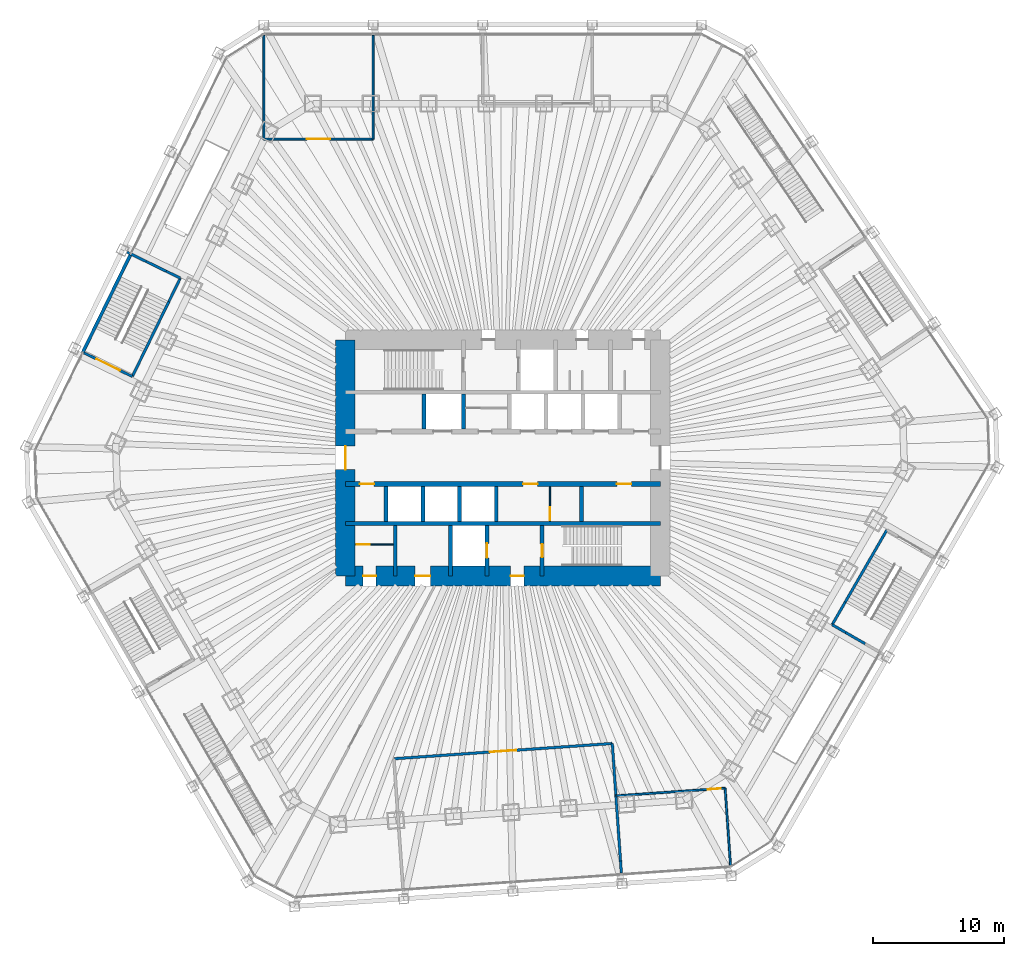
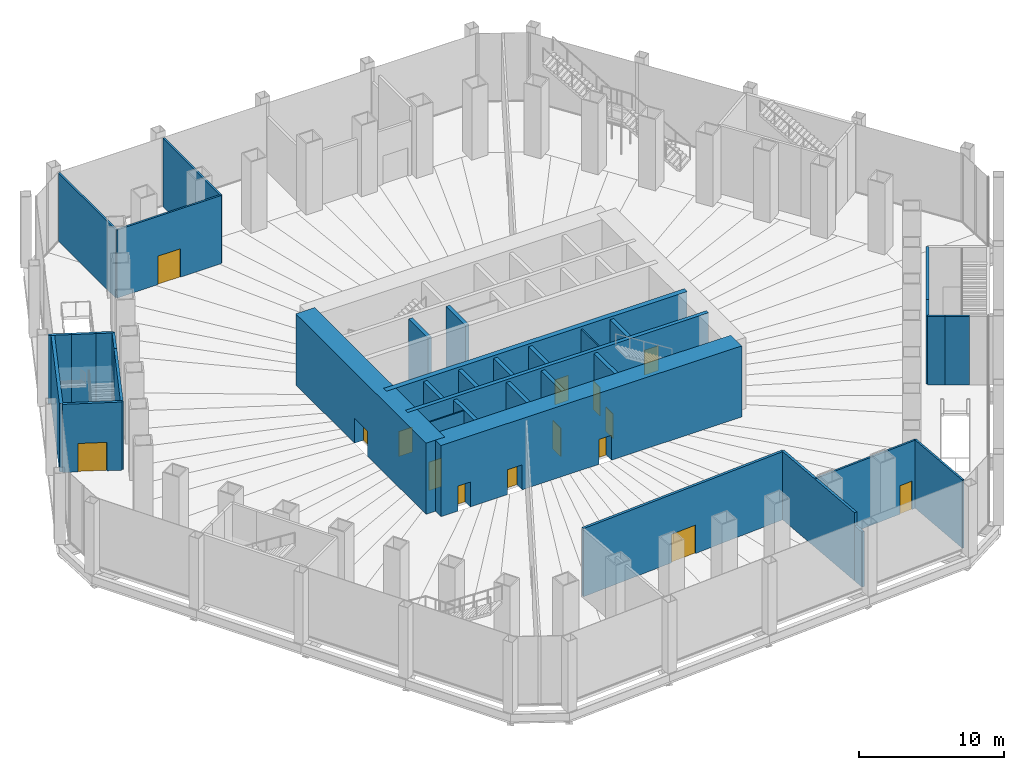
# One storey, part 19 of 23: 36 walls, 15 doors, 15 openings.
"""IFC4 building model written with IfcOpenShell, lengths in metres."""

from ifc_helpers import new_model, si_unit, direction, frame, frame_2d, origin, place, context, subcontext, project, spatial, rectangle, extrude, material, layer, layer_set, type_object, element, fill, save


model = new_model("IFC4")

# Units and contexts
model_context = context("Model", 3, precision=1e-05, world=origin(), true_north=direction((0.0, 1.0)))
body_context = subcontext(model_context, "Body", "Model", "MODEL_VIEW")
ifc_project = project(units=[si_unit("LENGTHUNIT", "METRE"), si_unit("AREAUNIT", "SQUARE_METRE"), si_unit("VOLUMEUNIT", "CUBIC_METRE"), si_unit("PLANEANGLEUNIT", "RADIAN"), si_unit("MASSUNIT", "GRAM", prefix="KILO")], contexts=[model_context])

# Site, building, storey
site_placement = place(None, origin())
site = spatial("IfcSite", under=ifc_project, at=site_placement, CompositionType="ELEMENT")
building_placement = place(site_placement, origin())
building = spatial("IfcBuilding", under=site, at=building_placement, Name="Qingtian Harvest Tower", CompositionType="ELEMENT")
storey_placement = place(building_placement, frame((0.0, 0.0, 6.0)))
storey = spatial("IfcBuildingStorey", under=building, at=storey_placement, Name="L01", CompositionType="ELEMENT", Elevation=6.0)

# Wall
ifc_material_1 = material(Name="Concrete fc' 70 MPa", Category="concrete")
ifc_layer_1 = layer(ifc_material_1, 0.300048828125)
ifc_layer_set_1 = layer_set([ifc_layer_1], Name="Core inner wall RC5 300")
wall_type_1 = type_object("IfcWallType", Name="Core inner wall RC5 300", PredefinedType="SHEAR", material=ifc_layer_set_1)
wall_1_placement = place(storey_placement, frame((-12.0, -5.0, 0.0), z_axis=(0.0, 0.0, 1.0), x_axis=(1.0, 0.0, 0.0)))
element("IfcWall", 1, at=wall_1_placement, inside=storey, type_object=wall_type_1, Name="Core wall IS5 L01", PredefinedType="SHEAR", context=body_context, shape_type="SweptSolid", body=[
    extrude(rectangle(XDim=24.0, YDim=0.300048828125, at=frame_2d((12.0, 0.0))), origin(), (0.0, 0.0, 1.0), 6.0),
])

# Wall, openings, doors
ifc_material_2 = material(Name="Concrete fc' 70 MPa", Category="concrete")
ifc_layer_2 = layer(ifc_material_2, 0.39990234375)
ifc_layer_set_2 = layer_set([ifc_layer_2], Name="Core inner web RC6 400")
wall_type_2 = type_object("IfcWallType", Name="Core inner web RC6 400", PredefinedType="SHEAR", material=ifc_layer_set_2)
wall_2_placement = place(storey_placement, frame((-12.0, -2.0, 0.0), z_axis=(0.0, 0.0, 1.0), x_axis=(1.0, 0.0, 0.0)))
wall_2 = element("IfcWall", 2, at=wall_2_placement, inside=storey, type_object=wall_type_2, Name="Core wall IS2 L01", PredefinedType="SHEAR", context=body_context, shape_type="SweptSolid", body=[
    extrude(rectangle(XDim=24.0, YDim=0.39990234375, at=frame_2d((12.0, 0.0))), origin(), (0.0, 0.0, 1.0), 6.0),
])
opening_1_placement = place(wall_2_placement, frame((1.10009765625, 0.0, 0.0)))
opening_1 = element("IfcOpeningElement", 3, at=opening_1_placement, cuts=wall_2, Name="Opening FD4", PredefinedType="OPENING", context=body_context, shape_type="SweptSolid", body=[
    extrude(rectangle(XDim=1.10009765625, YDim=2.10009765625, at=frame_2d((0.550048828125, 1.050048828125))), frame((0.0, 0.2099609375, 0.0), z_axis=(0.0, -1.0, 0.0), x_axis=(1.0, 0.0, 0.0)), (0.0, 0.0, 1.0), 0.419921875),
])
opening_2_placement = place(wall_2_placement, frame((13.550048828125, 0.0, 0.0)))
opening_2 = element("IfcOpeningElement", 4, at=opening_2_placement, cuts=wall_2, Name="Opening FD4", PredefinedType="OPENING", context=body_context, shape_type="SweptSolid", body=[
    extrude(rectangle(XDim=1.10009765625, YDim=2.10009765625, at=frame_2d((0.550048828125, 1.050048828125))), frame((0.0, 0.2099609375, 0.0), z_axis=(0.0, -1.0, 0.0), x_axis=(1.0, 0.0, 0.0)), (0.0, 0.0, 1.0), 0.419921875),
])
opening_3_placement = place(wall_2_placement, frame((20.699951171875, 0.0, 0.0)))
opening_3 = element("IfcOpeningElement", 5, at=opening_3_placement, cuts=wall_2, Name="Opening FD4", PredefinedType="OPENING", context=body_context, shape_type="SweptSolid", body=[
    extrude(rectangle(XDim=1.10009765625, YDim=2.10009765625, at=frame_2d((0.550048828125, 1.050048828125))), frame((0.0, 0.2099609375, 0.0), z_axis=(0.0, -1.0, 0.0), x_axis=(1.0, 0.0, 0.0)), (0.0, 0.0, 1.0), 0.419921875),
])
ifc_material_3 = material(Name="Steel-faced door leaf", Category="steel")
door_type_1 = type_object("IfcDoorType", Name="Fire door FD4 single 2 HR", OperationType="SINGLE_SWING_LEFT", PredefinedType="DOOR", material=ifc_material_3)
door_1_placement = place(opening_1_placement, origin())
door_1 = element("IfcDoor", 6, at=door_1_placement, inside=storey, type_object=door_type_1, Name="RB door L01", OperationType="SINGLE_SWING_RIGHT", OverallHeight=2.10009765625, OverallWidth=1.10009765625, PredefinedType="DOOR", context=body_context, shape_type="SweptSolid", body=[
    extrude(rectangle(XDim=1.10009765625, YDim=2.10009765625, at=frame_2d((0.550048828125, 1.050048828125))), frame((0.0, 0.02490234375, 0.0), z_axis=(0.0, -1.0, 0.0), x_axis=(1.0, 0.0, 0.0)), (0.0, 0.0, 1.0), 0.050048828125),
])
fill(opening_1, door_1)
door_2_placement = place(opening_2_placement, origin())
door_2 = element("IfcDoor", 7, at=door_2_placement, inside=storey, type_object=door_type_1, Name="ELEC door L01", OperationType="SINGLE_SWING_LEFT", OverallHeight=2.10009765625, OverallWidth=1.10009765625, PredefinedType="DOOR", context=body_context, shape_type="SweptSolid", body=[
    extrude(rectangle(XDim=1.10009765625, YDim=2.10009765625, at=frame_2d((0.550048828125, 1.050048828125))), frame((0.0, 0.02490234375, 0.0), z_axis=(0.0, -1.0, 0.0), x_axis=(1.0, 0.0, 0.0)), (0.0, 0.0, 1.0), 0.050048828125),
])
fill(opening_2, door_2)
door_3_placement = place(opening_3_placement, origin())
door_3 = element("IfcDoor", 8, at=door_3_placement, inside=storey, type_object=door_type_1, Name="DUCT door L01", OperationType="SINGLE_SWING_LEFT", OverallHeight=2.10009765625, OverallWidth=1.10009765625, PredefinedType="DOOR", context=body_context, shape_type="SweptSolid", body=[
    extrude(rectangle(XDim=1.10009765625, YDim=2.10009765625, at=frame_2d((0.550048828125, 1.050048828125))), frame((0.0, 0.02490234375, 0.0), z_axis=(0.0, -1.0, 0.0), x_axis=(1.0, 0.0, 0.0)), (0.0, 0.0, 1.0), 0.050048828125),
])
fill(opening_3, door_3)

# Walls
ifc_material_4 = material(Name="Precast concrete shaft panel", Category="concrete")
ifc_layer_3 = layer(ifc_material_4, 0.300048828125)
ifc_layer_set_3 = layer_set([ifc_layer_3], Name="Core shaft partition SW1 300")
wall_type_3 = type_object("IfcWallType", Name="Core shaft partition SW1 300", PredefinedType="PARTITIONING", material=ifc_layer_set_3)
for number, where, z_axis, x_axis, name in (
    (9, (-6.0, 2.199951171875, 0.0), (0.0, 0.0, 1.0), (0.0, 1.0, 0.0), "Core shaft partition XA1 L01"),
    (10, (-3.0, 2.199951171875, 0.0), (0.0, 0.0, 1.0), (0.0, 1.0, 0.0), "Core shaft partition XA2 L01"),
    (11, (-8.89990234375, -4.85009765625, 0.0), (0.0, 0.0, 1.0), (0.0, 1.0, 0.0), "Core shaft partition XB1 L01"),
    (12, (-6.10009765625, -4.85009765625, 0.0), (0.0, 0.0, 1.0), (0.0, 1.0, 0.0), "Core shaft partition XB2 L01"),
    (13, (-3.300048828125, -4.85009765625, 0.0), (0.0, 0.0, 1.0), (0.0, 1.0, 0.0), "Core shaft partition XB3 L01"),
    (14, (-0.5, -4.85009765625, 0.0), (0.0, 0.0, 1.0), (0.0, 1.0, 0.0), "Core shaft partition XB4 L01"),
    (15, (6.0, -4.85009765625, 0.0), (0.0, 0.0, 1.0), (0.0, 1.0, 0.0), "Core shaft partition XB5 L01"),
):
    element("IfcWall", number, at=place(storey_placement, frame(where, z_axis=z_axis, x_axis=x_axis)), inside=storey, type_object=wall_type_3, Name=name, PredefinedType="PARTITIONING", context=body_context, shape_type="SweptSolid", body=[
        extrude(rectangle(XDim=2.650146484375, YDim=0.300048828125, at=frame_2d((1.3251953125, 0.0))), origin(), (0.0, 0.0, 1.0), 5.780029296875),
    ])
for number, where, z_axis, x_axis, name in (
    (16, (-8.199951171875, -9.0, 0.0), (0.0, 0.0, 1.0), (0.0, 1.0, 0.0), "Core shaft partition XS1 L01"),
    (17, (-4.0, -9.0, 0.0), (0.0, 0.0, 1.0), (0.0, 1.0, 0.0), "Core shaft partition XS2 L01"),
):
    element("IfcWall", number, at=place(storey_placement, frame(where, z_axis=z_axis, x_axis=x_axis)), inside=storey, type_object=wall_type_3, Name=name, PredefinedType="PARTITIONING", context=body_context, shape_type="SweptSolid", body=[
        extrude(rectangle(XDim=3.85009765625, YDim=0.300048828125, at=frame_2d((1.925048828125, 0.0))), origin(), (0.0, 0.0, 1.0), 5.780029296875),
    ])

# Wall, opening, door
wall_3_placement = place(storey_placement, frame((-1.199951171875, -9.0, 0.0), z_axis=(0.0, 0.0, 1.0), x_axis=(0.0, 1.0, 0.0)))
wall_3 = element("IfcWall", 18, at=wall_3_placement, inside=storey, type_object=wall_type_3, Name="Core shaft partition XS3 L01", PredefinedType="PARTITIONING", context=body_context, shape_type="SweptSolid", body=[
    extrude(rectangle(XDim=3.85009765625, YDim=0.300048828125, at=frame_2d((1.925048828125, 0.0))), origin(), (0.0, 0.0, 1.0), 5.780029296875),
])
opening_4_placement = place(wall_3_placement, frame((1.375, 0.0, 0.0)))
opening_4 = element("IfcOpeningElement", 19, at=opening_4_placement, cuts=wall_3, Name="Opening LD1", PredefinedType="OPENING", context=body_context, shape_type="SweptSolid", body=[
    extrude(rectangle(XDim=1.10009765625, YDim=2.39990234375, at=frame_2d((0.550048828125, 1.199951171875))), frame((0.0, 0.159912109375, 0.0), z_axis=(0.0, -1.0, 0.0), x_axis=(1.0, 0.0, 0.0)), (0.0, 0.0, 1.0), 0.320068359375),
])
ifc_material_5 = material(Name="Stainless steel lift landing door", Category="steel")
door_type_2 = type_object("IfcDoorType", Name="Lift landing door LD1 1 HR", OperationType="DOUBLE_DOOR_SLIDING", PredefinedType="DOOR", material=ifc_material_5)
door_4_placement = place(opening_4_placement, origin())
door_4 = element("IfcDoor", 20, at=door_4_placement, inside=storey, type_object=door_type_2, Name="FL2 landing door L01", OperationType="DOUBLE_DOOR_SLIDING", OverallHeight=2.39990234375, OverallWidth=1.10009765625, PredefinedType="DOOR", context=body_context, shape_type="SweptSolid", body=[
    extrude(rectangle(XDim=1.10009765625, YDim=2.39990234375, at=frame_2d((0.550048828125, 1.199951171875))), frame((0.0, 0.02490234375, 0.0), z_axis=(0.0, -1.0, 0.0), x_axis=(1.0, 0.0, 0.0)), (0.0, 0.0, 1.0), 0.050048828125),
])
fill(opening_4, door_4)

wall_4_placement = place(storey_placement, frame((3.0, -9.0, 0.0), z_axis=(0.0, 0.0, 1.0), x_axis=(0.0, 1.0, 0.0)))
wall_4 = element("IfcWall", 21, at=wall_4_placement, inside=storey, type_object=wall_type_3, Name="Core shaft partition XS4 L01", PredefinedType="PARTITIONING", context=body_context, shape_type="SweptSolid", body=[
    extrude(rectangle(XDim=3.85009765625, YDim=0.300048828125, at=frame_2d((1.925048828125, 0.0))), origin(), (0.0, 0.0, 1.0), 5.780029296875),
])
opening_5_placement = place(wall_4_placement, frame((1.425048828125, 0.0, 0.0)))
opening_5 = element("IfcOpeningElement", 22, at=opening_5_placement, cuts=wall_4, Name="Opening FD1", PredefinedType="OPENING", context=body_context, shape_type="SweptSolid", body=[
    extrude(rectangle(XDim=1.0, YDim=2.10009765625, at=frame_2d((0.5, 1.050048828125))), frame((0.0, 0.159912109375, 0.0), z_axis=(0.0, -1.0, 0.0), x_axis=(1.0, 0.0, 0.0)), (0.0, 0.0, 1.0), 0.320068359375),
])
ifc_material_6 = material(Name="Steel-faced door leaf", Category="steel")
door_type_3 = type_object("IfcDoorType", Name="Fire door FD1 single 1 HR", OperationType="SINGLE_SWING_LEFT", PredefinedType="DOOR", material=ifc_material_6)
door_5_placement = place(opening_5_placement, origin())
door_5 = element("IfcDoor", 23, at=door_5_placement, inside=storey, type_object=door_type_3, Name="S2 door L01", OperationType="SINGLE_SWING_RIGHT", OverallHeight=2.10009765625, OverallWidth=1.0, PredefinedType="DOOR", context=body_context, shape_type="SweptSolid", body=[
    extrude(rectangle(XDim=1.0, YDim=2.10009765625, at=frame_2d((0.5, 1.050048828125))), frame((0.0, 0.02490234375, 0.0), z_axis=(0.0, -1.0, 0.0), x_axis=(1.0, 0.0, 0.0)), (0.0, 0.0, 1.0), 0.050048828125),
])
fill(opening_5, door_5)

# Wall, openings, doors
ifc_material_7 = material(Name="Concrete fc' 70 MPa", Category="concrete")
ifc_layer_4 = layer(ifc_material_7, 1.5)
ifc_layer_set_4 = layer_set([ifc_layer_4], Name="Core wall RC1 1500")
wall_type_4 = type_object("IfcWallType", Name="Core wall RC1 1500", PredefinedType="SHEAR", material=ifc_layer_set_4)
wall_5_placement = place(storey_placement, frame((-12.0, -9.0, 0.0), z_axis=(0.0, 0.0, 1.0), x_axis=(1.0, 0.0, 0.0)))
wall_5 = element("IfcWall", 24, at=wall_5_placement, inside=storey, type_object=wall_type_4, Name="Core wall CS L01", PredefinedType="SHEAR", context=body_context, shape_type="SweptSolid", body=[
    extrude(rectangle(XDim=24.0, YDim=1.5, at=frame_2d((12.0, 0.0))), origin(), (0.0, 0.0, 1.0), 6.0),
])
opening_6_placement = place(wall_5_placement, frame((1.35009765625, 0.0, 0.0)))
opening_6 = element("IfcOpeningElement", 25, at=opening_6_placement, cuts=wall_5, Name="Opening FD1", PredefinedType="OPENING", context=body_context, shape_type="SweptSolid", body=[
    extrude(rectangle(XDim=1.0, YDim=2.10009765625, at=frame_2d((0.5, 1.050048828125))), frame((0.0, 0.760009765625, 0.0), z_axis=(0.0, -1.0, 0.0), x_axis=(1.0, 0.0, 0.0)), (0.0, 0.0, 1.0), 1.52001953125),
])
opening_7_placement = place(wall_5_placement, frame((5.324951171875, 0.0, 0.0)))
opening_7 = element("IfcOpeningElement", 26, at=opening_7_placement, cuts=wall_5, Name="Opening AD1", PredefinedType="OPENING", context=body_context, shape_type="SweptSolid", body=[
    extrude(rectangle(XDim=1.14990234375, YDim=2.10009765625, at=frame_2d((0.574951171875, 1.050048828125))), frame((0.0, 0.760009765625, 0.0), z_axis=(0.0, -1.0, 0.0), x_axis=(1.0, 0.0, 0.0)), (0.0, 0.0, 1.0), 1.52001953125),
])
opening_8_placement = place(wall_5_placement, frame((12.60009765625, 0.0, 0.0)))
opening_8 = element("IfcOpeningElement", 27, at=opening_8_placement, cuts=wall_5, Name="Opening FD1", PredefinedType="OPENING", context=body_context, shape_type="SweptSolid", body=[
    extrude(rectangle(XDim=1.0, YDim=2.10009765625, at=frame_2d((0.5, 1.050048828125))), frame((0.0, 0.760009765625, 0.0), z_axis=(0.0, -1.0, 0.0), x_axis=(1.0, 0.0, 0.0)), (0.0, 0.0, 1.0), 1.52001953125),
])
ifc_material_8 = material(Name="Laminated timber door leaf", Category="wood")
door_type_4 = type_object("IfcDoorType", Name="Accessible WC door AD1 single", OperationType="SINGLE_SWING_LEFT", PredefinedType="DOOR", material=ifc_material_8)
door_6_placement = place(opening_7_placement, origin())
door_6 = element("IfcDoor", 28, at=door_6_placement, inside=storey, type_object=door_type_4, Name="AWC door L01", OperationType="SINGLE_SWING_LEFT", OverallHeight=2.10009765625, OverallWidth=1.14990234375, PredefinedType="DOOR", context=body_context, shape_type="SweptSolid", body=[
    extrude(rectangle(XDim=1.14990234375, YDim=2.10009765625, at=frame_2d((0.574951171875, 1.050048828125))), frame((0.0, 0.02490234375, 0.0), z_axis=(0.0, -1.0, 0.0), x_axis=(1.0, 0.0, 0.0)), (0.0, 0.0, 1.0), 0.050048828125),
])
fill(opening_7, door_6)
door_7_placement = place(opening_6_placement, origin())
door_7 = element("IfcDoor", 29, at=door_7_placement, inside=storey, type_object=door_type_3, Name="CLN door L01", OperationType="SINGLE_SWING_LEFT", OverallHeight=2.10009765625, OverallWidth=1.0, PredefinedType="DOOR", context=body_context, shape_type="SweptSolid", body=[
    extrude(rectangle(XDim=1.0, YDim=2.10009765625, at=frame_2d((0.5, 1.050048828125))), frame((0.0, 0.02490234375, 0.0), z_axis=(0.0, -1.0, 0.0), x_axis=(1.0, 0.0, 0.0)), (0.0, 0.0, 1.0), 0.050048828125),
])
fill(opening_6, door_7)
door_8_placement = place(opening_8_placement, origin())
door_8 = element("IfcDoor", 30, at=door_8_placement, inside=storey, type_object=door_type_3, Name="V2 door L01", OperationType="SINGLE_SWING_LEFT", OverallHeight=2.10009765625, OverallWidth=1.0, PredefinedType="DOOR", context=body_context, shape_type="SweptSolid", body=[
    extrude(rectangle(XDim=1.0, YDim=2.10009765625, at=frame_2d((0.5, 1.050048828125))), frame((0.0, 0.02490234375, 0.0), z_axis=(0.0, -1.0, 0.0), x_axis=(1.0, 0.0, 0.0)), (0.0, 0.0, 1.0), 0.050048828125),
])
fill(opening_8, door_8)

# Wall, opening, door
wall_6_placement = place(storey_placement, frame((-12.0, -9.0, 0.0), z_axis=(0.0, 0.0, 1.0), x_axis=(0.0, 1.0, 0.0)))
wall_6 = element("IfcWall", 31, at=wall_6_placement, inside=storey, type_object=wall_type_4, Name="Core wall CW L01", PredefinedType="SHEAR", context=body_context, shape_type="SweptSolid", body=[
    extrude(rectangle(XDim=18.0, YDim=1.5, at=frame_2d((9.0, 0.0))), origin(), (0.0, 0.0, 1.0), 6.0),
])
opening_9_placement = place(wall_6_placement, frame((8.10009765625, 0.0, 0.0)))
opening_9 = element("IfcOpeningElement", 32, at=opening_9_placement, cuts=wall_6, Name="Opening FD2", PredefinedType="OPENING", context=body_context, shape_type="SweptSolid", body=[
    extrude(rectangle(XDim=1.800048828125, YDim=2.10009765625, at=frame_2d((0.89990234375, 1.050048828125))), frame((0.0, 0.760009765625, 0.0), z_axis=(0.0, -1.0, 0.0), x_axis=(1.0, 0.0, 0.0)), (0.0, 0.0, 1.0), 1.52001953125),
])
ifc_material_9 = material(Name="Steel-faced door leaf", Category="steel")
door_type_5 = type_object("IfcDoorType", Name="Fire door FD2 double 1 HR", OperationType="DOUBLE_DOOR_DOUBLE_SWING", PredefinedType="DOOR", material=ifc_material_9)
door_9_placement = place(opening_9_placement, origin())
door_9 = element("IfcDoor", 33, at=door_9_placement, inside=storey, type_object=door_type_5, Name="LOBBY-W door L01", OperationType="DOUBLE_DOOR_DOUBLE_SWING", OverallHeight=2.10009765625, OverallWidth=1.800048828125, PredefinedType="DOOR", context=body_context, shape_type="SweptSolid", body=[
    extrude(rectangle(XDim=1.800048828125, YDim=2.10009765625, at=frame_2d((0.89990234375, 1.050048828125))), frame((0.0, 0.02490234375, 0.0), z_axis=(0.0, -1.0, 0.0), x_axis=(1.0, 0.0, 0.0)), (0.0, 0.0, 1.0), 0.050048828125),
])
fill(opening_9, door_9)

# Walls
ifc_material_10 = material(Name="Bronze-clad steel-framed screen wall with fire-rated lining", Category="steel")
ifc_layer_5 = layer(ifc_material_10, 0.25)
ifc_layer_set_5 = layer_set([ifc_layer_5], Name="Facade door bay wall FW2 250")
wall_type_5 = type_object("IfcWallType", Name="Facade door bay wall FW2 250", PredefinedType="SOLIDWALL", material=ifc_layer_set_5)
wall_7_placement = place(storey_placement, frame((-32.013916015625, 8.04345703125, 0.0), z_axis=(0.0, 0.0, 1.0), x_axis=(0.438364815309, 0.898797134341, 0.0)))
element("IfcWall", 34, at=wall_7_placement, inside=storey, type_object=wall_type_5, Name="Exit stair wall bay NW1", PredefinedType="SOLIDWALL", context=body_context, shape_type="SweptSolid", body=[
    extrude(rectangle(XDim=8.341796875, YDim=0.25, at=frame_2d((4.1708984375, 0.0))), origin(), (0.0, 0.0, 1.0), 5.75),
])
ifc_material_11 = material(Name="Blockwork fire wall", Category="masonry")
ifc_layer_6 = layer(ifc_material_11, 0.199951171875)
ifc_layer_set_6 = layer_set([ifc_layer_6], Name="Fire partition FW1 200")
wall_type_6 = type_object("IfcWallType", Name="Fire partition FW1 200", PredefinedType="PARTITIONING", material=ifc_layer_set_6)
wall_8_placement = place(storey_placement, frame((9.0341796875, -31.64697265625, 0.0), z_axis=(0.0, 0.0, 1.0), x_axis=(-0.069837025026, 0.997558414297, 0.0)))
element("IfcWall", 35, at=wall_8_placement, inside=storey, type_object=wall_type_6, Name="Kitchen wall L01", PredefinedType="PARTITIONING", context=body_context, shape_type="SweptSolid", body=[
    extrude(rectangle(XDim=0.9228515625, YDim=0.199951171875, at=frame_2d((0.46142578125, 0.0))), origin(), (0.0, 0.0, 1.0), 4.64990234375),
])

# Wall, opening, door
wall_9_placement = place(storey_placement, frame((8.34375, -21.77099609375, 0.0), z_axis=(0.0, 0.0, 1.0), x_axis=(-0.997563959397, -0.069757773133, 0.0)))
wall_9 = element("IfcWall", 36, at=wall_9_placement, inside=storey, type_object=wall_type_6, Name="Kitchen wall L01", PredefinedType="PARTITIONING", context=body_context, shape_type="SweptSolid", body=[
    extrude(rectangle(XDim=16.68359375, YDim=0.199951171875, at=frame_2d((8.341796875, 0.0))), origin(), (0.0, 0.0, 1.0), 5.75),
])
opening_10_placement = place(wall_9_placement, frame((7.341796875, 0.0, 0.0)))
opening_10 = element("IfcOpeningElement", 37, at=opening_10_placement, cuts=wall_9, Name="Opening FD3", PredefinedType="OPENING", context=body_context, shape_type="SweptSolid", body=[
    extrude(rectangle(XDim=2.0, YDim=2.39990234375, at=frame_2d((1.0, 1.199951171875))), frame((0.0, 0.10986328125, 0.0), z_axis=(0.0, -1.0, 0.0), x_axis=(1.0, 0.0, 0.0)), (0.0, 0.0, 1.0), 0.219970703125),
])
ifc_material_12 = material(Name="Steel-faced door leaf", Category="steel")
door_type_6 = type_object("IfcDoorType", Name="Fire door FD3 double 2 HR", OperationType="DOUBLE_DOOR_DOUBLE_SWING", PredefinedType="DOOR", material=ifc_material_12)
door_10_placement = place(opening_10_placement, origin())
door_10 = element("IfcDoor", 38, at=door_10_placement, inside=storey, type_object=door_type_6, Name="Kitchen door L01", OperationType="DOUBLE_DOOR_DOUBLE_SWING", OverallHeight=2.39990234375, OverallWidth=2.0, PredefinedType="DOOR", context=body_context, shape_type="SweptSolid", body=[
    extrude(rectangle(XDim=2.0, YDim=2.39990234375, at=frame_2d((1.0, 1.199951171875))), frame((0.0, 0.02490234375, 0.0), z_axis=(0.0, -1.0, 0.0), x_axis=(1.0, 0.0, 0.0)), (0.0, 0.0, 1.0), 0.050048828125),
])
fill(opening_10, door_10)

# Walls
wall_10_placement = place(storey_placement, frame((29.274658203125, -5.49462890625, 0.0), z_axis=(0.0, 0.0, 1.0), x_axis=(-0.499976503915, -0.866038968831, 0.0)))
element("IfcWall", 39, at=wall_10_placement, inside=storey, type_object=wall_type_6, Name="Exit stair P2 enclosure L01", PredefinedType="PARTITIONING", context=body_context, shape_type="SweptSolid", body=[
    extrude(rectangle(XDim=6.349853515625, YDim=0.199951171875, at=frame_2d((3.1748046875, 0.0))), origin(), (0.0, 0.0, 1.0), 5.75),
])
wall_11_placement = place(storey_placement, frame((27.615478515625, -14.168701171875, 0.0), z_axis=(0.0, 0.0, 1.0), x_axis=(-0.866087547558, 0.499892348375, 0.0)))
element("IfcWall", 40, at=wall_11_placement, inside=storey, type_object=wall_type_6, Name="Exit stair P2 enclosure L01", PredefinedType="PARTITIONING", context=body_context, shape_type="SweptSolid", body=[
    extrude(rectangle(XDim=1.699951171875, YDim=0.199951171875, at=frame_2d((0.85009765625, 0.0))), origin(), (0.0, 0.0, 1.0), 5.75),
])
wall_12_placement = place(storey_placement, frame((26.14306640625, -13.31884765625, 0.0), z_axis=(0.0, 0.0, 1.0), x_axis=(-0.865955154139, 0.50012165622, 0.0)))
element("IfcWall", 41, at=wall_12_placement, inside=storey, type_object=wall_type_6, Name="Exit stair P2 enclosure L01", PredefinedType="PARTITIONING", context=body_context, shape_type="SweptSolid", body=[
    extrude(rectangle(XDim=1.199951171875, YDim=0.199951171875, at=frame_2d((0.60009765625, 0.0))), origin(), (0.0, 0.0, 1.0), 5.75),
])
wall_13_placement = place(storey_placement, frame((26.099853515625, -10.993896484375, 0.0), z_axis=(0.0, 0.0, 1.0), x_axis=(-0.500001870701, -0.866024323732, 0.0)))
element("IfcWall", 42, at=wall_13_placement, inside=storey, type_object=wall_type_6, Name="Exit stair P2 enclosure L01", PredefinedType="PARTITIONING", context=body_context, shape_type="SweptSolid", body=[
    extrude(rectangle(XDim=1.99169921875, YDim=0.199951171875, at=frame_2d((0.995849609375, 0.0))), origin(), (0.0, 0.0, 1.0), 5.75),
])

# Wall, opening, door
wall_14_placement = place(storey_placement, frame((-31.924072265625, 7.99951171875, 0.0), z_axis=(0.0, 0.0, 1.0), x_axis=(0.898790191345, -0.438379050529, 0.0)))
wall_14 = element("IfcWall", 43, at=wall_14_placement, inside=storey, type_object=wall_type_6, Name="Exit stair P4 enclosure L01", PredefinedType="PARTITIONING", context=body_context, shape_type="SweptSolid", body=[
    extrude(rectangle(XDim=4.10009765625, YDim=0.199951171875, at=frame_2d((2.050048828125, 0.0))), origin(), (0.0, 0.0, 1.0), 5.75),
])
opening_11_placement = place(wall_14_placement, frame((1.050048828125, 0.0, 0.0)))
opening_11 = element("IfcOpeningElement", 44, at=opening_11_placement, cuts=wall_14, Name="Opening FD3", PredefinedType="OPENING", context=body_context, shape_type="SweptSolid", body=[
    extrude(rectangle(XDim=2.0, YDim=2.39990234375, at=frame_2d((1.0, 1.199951171875))), frame((0.0, 0.10986328125, 0.0), z_axis=(0.0, -1.0, 0.0), x_axis=(1.0, 0.0, 0.0)), (0.0, 0.0, 1.0), 0.219970703125),
])
door_11_placement = place(opening_11_placement, origin())
door_11 = element("IfcDoor", 45, at=door_11_placement, inside=storey, type_object=door_type_6, Name="Exit stair P4 door L01", OperationType="DOUBLE_DOOR_DOUBLE_SWING", OverallHeight=2.39990234375, OverallWidth=2.0, PredefinedType="DOOR", context=body_context, shape_type="SweptSolid", body=[
    extrude(rectangle(XDim=2.0, YDim=2.39990234375, at=frame_2d((1.0, 1.199951171875))), frame((0.0, 0.02490234375, 0.0), z_axis=(0.0, -1.0, 0.0), x_axis=(1.0, 0.0, 0.0)), (0.0, 0.0, 1.0), 0.050048828125),
])
fill(opening_11, door_11)

# Walls
wall_15_placement = place(storey_placement, frame((-28.6494140625, 15.683349609375, 0.0), z_axis=(0.0, 0.0, 1.0), x_axis=(0.898859390649, -0.438237145667, 0.0)))
element("IfcWall", 46, at=wall_15_placement, inside=storey, type_object=wall_type_6, Name="Exit stair P4 enclosure L01", PredefinedType="PARTITIONING", context=body_context, shape_type="SweptSolid", body=[
    extrude(rectangle(XDim=1.625, YDim=0.199951171875, at=frame_2d((0.8125, 0.0))), origin(), (0.0, 0.0, 1.0), 5.75),
])
wall_16_placement = place(storey_placement, frame((-28.239013671875, 6.2021484375, 0.0), z_axis=(0.0, 0.0, 1.0), x_axis=(0.438364548315, 0.89879726456, 0.0)))
element("IfcWall", 47, at=wall_16_placement, inside=storey, type_object=wall_type_6, Name="Exit stair P4 enclosure L01", PredefinedType="PARTITIONING", context=body_context, shape_type="SweptSolid", body=[
    extrude(rectangle(XDim=6.35009765625, YDim=0.199951171875, at=frame_2d((3.175048828125, 0.0))), origin(), (0.0, 0.0, 1.0), 5.75),
])
wall_17_placement = place(storey_placement, frame((-27.188720703125, 14.97119140625, 0.0), z_axis=(0.0, 0.0, 1.0), x_axis=(0.898750501486, -0.438460415634, 0.0)))
element("IfcWall", 48, at=wall_17_placement, inside=storey, type_object=wall_type_6, Name="Exit stair P4 enclosure L01", PredefinedType="PARTITIONING", context=body_context, shape_type="SweptSolid", body=[
    extrude(rectangle(XDim=1.699951171875, YDim=0.199951171875, at=frame_2d((0.85009765625, 0.0))), origin(), (0.0, 0.0, 1.0), 5.75),
])
wall_18_placement = place(storey_placement, frame((-25.660888671875, 14.225830078125, 0.0), z_axis=(0.0, 0.0, 1.0), x_axis=(0.898778221275, -0.43840359141, 0.0)))
element("IfcWall", 49, at=wall_18_placement, inside=storey, type_object=wall_type_6, Name="Exit stair P4 enclosure L01", PredefinedType="PARTITIONING", context=body_context, shape_type="SweptSolid", body=[
    extrude(rectangle(XDim=1.2001953125, YDim=0.199951171875, at=frame_2d((0.60009765625, 0.0))), origin(), (0.0, 0.0, 1.0), 5.75),
])
wall_19_placement = place(storey_placement, frame((-25.455322265625, 11.90966796875, 0.0), z_axis=(0.0, 0.0, 1.0), x_axis=(0.438365666617, 0.898796719137, 0.0)))
element("IfcWall", 50, at=wall_19_placement, inside=storey, type_object=wall_type_6, Name="Exit stair P4 enclosure L01", PredefinedType="PARTITIONING", context=body_context, shape_type="SweptSolid", body=[
    extrude(rectangle(XDim=1.99169921875, YDim=0.199951171875, at=frame_2d((0.995849609375, 0.0))), origin(), (0.0, 0.0, 1.0), 5.75),
])
wall_20_placement = place(storey_placement, frame((8.9697265625, -30.726318359375, 0.0), z_axis=(0.0, 0.0, 1.0), x_axis=(-0.069729805766, 0.997565914708, 0.0)))
element("IfcWall", 51, at=wall_20_placement, inside=storey, type_object=wall_type_6, Name="Kitchen wall L01", PredefinedType="PARTITIONING", context=body_context, shape_type="SweptSolid", body=[
    extrude(rectangle(XDim=8.977294921875, YDim=0.199951171875, at=frame_2d((4.48876953125, 0.0))), origin(), (0.0, 0.0, 1.0), 5.75),
])
ifc_material_13 = material(Name="Gypsum board on steel studs", Category="steel")
ifc_layer_7 = layer(ifc_material_13, 0.14990234375)
ifc_layer_set_7 = layer_set([ifc_layer_7], Name="Partition PT1 150")
wall_type_7 = type_object("IfcWallType", Name="Partition PT1 150", PredefinedType="PARTITIONING", material=ifc_layer_set_7)
for number, where, z_axis, x_axis, name in (
    (52, (-18.220703125, 32.199951171875, 0.0), (0.0, 0.0, 1.0), (0.0, -1.0, 0.0), "Bakery wall L01"),
    (53, (-9.87890625, 32.199951171875, 0.0), (0.0, 0.0, 1.0), (0.0, -1.0, 0.0), "Bakery wall L01"),
):
    element("IfcWall", number, at=place(storey_placement, frame(where, z_axis=z_axis, x_axis=x_axis)), inside=storey, type_object=wall_type_7, Name=name, PredefinedType="PARTITIONING", context=body_context, shape_type="SweptSolid", body=[
        extrude(rectangle(XDim=7.89990234375, YDim=0.14990234375, at=frame_2d((3.949951171875, 0.0))), origin(), (0.0, 0.0, 1.0), 5.75),
    ])

# Wall, opening, door
wall_21_placement = place(storey_placement, frame((-18.220703125, 24.300048828125, 0.0), z_axis=(0.0, 0.0, 1.0), x_axis=(1.0, 0.0, 0.0)))
wall_21 = element("IfcWall", 54, at=wall_21_placement, inside=storey, type_object=wall_type_7, Name="Bakery wall L01", PredefinedType="PARTITIONING", context=body_context, shape_type="SweptSolid", body=[
    extrude(rectangle(XDim=8.341796875, YDim=0.14990234375, at=frame_2d((4.1708984375, 0.0))), origin(), (0.0, 0.0, 1.0), 5.75),
])
opening_12_placement = place(wall_21_placement, frame((3.27099609375, 0.0, 0.0)))
opening_12 = element("IfcOpeningElement", 55, at=opening_12_placement, cuts=wall_21, Name="Opening D3", PredefinedType="OPENING", context=body_context, shape_type="SweptSolid", body=[
    extrude(rectangle(XDim=1.800048828125, YDim=2.39990234375, at=frame_2d((0.89990234375, 1.199951171875))), frame((0.0, 0.0849609375, 0.0), z_axis=(0.0, -1.0, 0.0), x_axis=(1.0, 0.0, 0.0)), (0.0, 0.0, 1.0), 0.169921875),
])
ifc_material_14 = material(Name="Laminated timber door leaf", Category="wood")
door_type_7 = type_object("IfcDoorType", Name="Room door D3 double", OperationType="DOUBLE_DOOR_DOUBLE_SWING", PredefinedType="DOOR", material=ifc_material_14)
door_12_placement = place(opening_12_placement, origin())
door_12 = element("IfcDoor", 56, at=door_12_placement, inside=storey, type_object=door_type_7, Name="Bakery door L01", OperationType="DOUBLE_DOOR_DOUBLE_SWING", OverallHeight=2.39990234375, OverallWidth=1.800048828125, PredefinedType="DOOR", context=body_context, shape_type="SweptSolid", body=[
    extrude(rectangle(XDim=1.800048828125, YDim=2.39990234375, at=frame_2d((0.89990234375, 1.199951171875))), frame((0.0, 0.02490234375, 0.0), z_axis=(0.0, -1.0, 0.0), x_axis=(1.0, 0.0, 0.0)), (0.0, 0.0, 1.0), 0.050048828125),
])
fill(opening_12, door_12)

# Wall
wall_22_placement = place(storey_placement, frame((17.355712890625, -31.06494140625, 0.0), z_axis=(0.0, 0.0, 1.0), x_axis=(-0.069767771051, 0.997563260211, 0.0)))
element("IfcWall", 57, at=wall_22_placement, inside=storey, type_object=wall_type_7, Name="Staff changing room wall L01", PredefinedType="PARTITIONING", context=body_context, shape_type="SweptSolid", body=[
    extrude(rectangle(XDim=5.89990234375, YDim=0.14990234375, at=frame_2d((2.949951171875, 0.0))), origin(), (0.0, 0.0, 1.0), 5.75),
])

# Wall, opening, door
wall_23_placement = place(storey_placement, frame((16.944091796875, -25.179443359375, 0.0), z_axis=(0.0, 0.0, 1.0), x_axis=(-0.997564977604, -0.069743210844, 0.0)))
wall_23 = element("IfcWall", 58, at=wall_23_placement, inside=storey, type_object=wall_type_7, Name="Staff changing room wall L01", PredefinedType="PARTITIONING", context=body_context, shape_type="SweptSolid", body=[
    extrude(rectangle(XDim=8.341796875, YDim=0.14990234375, at=frame_2d((4.1708984375, 0.0))), origin(), (0.0, 0.0, 1.0), 5.75),
])
opening_13_placement = place(wall_23_placement, frame((0.334228515625, 0.0, 0.0)))
opening_13 = element("IfcOpeningElement", 59, at=opening_13_placement, cuts=wall_23, Name="Opening D2", PredefinedType="OPENING", context=body_context, shape_type="SweptSolid", body=[
    extrude(rectangle(XDim=1.0, YDim=2.39990234375, at=frame_2d((0.5, 1.199951171875))), frame((0.0, 0.0849609375, 0.0), z_axis=(0.0, -1.0, 0.0), x_axis=(1.0, 0.0, 0.0)), (0.0, 0.0, 1.0), 0.169921875),
])
ifc_material_15 = material(Name="Laminated timber door leaf", Category="wood")
door_type_8 = type_object("IfcDoorType", Name="Room door D2 single", OperationType="SINGLE_SWING_LEFT", PredefinedType="DOOR", material=ifc_material_15)
door_13_placement = place(opening_13_placement, origin())
door_13 = element("IfcDoor", 60, at=door_13_placement, inside=storey, type_object=door_type_8, Name="Staff changing room door L01", OperationType="SINGLE_SWING_RIGHT", OverallHeight=2.39990234375, OverallWidth=1.0, PredefinedType="DOOR", context=body_context, shape_type="SweptSolid", body=[
    extrude(rectangle(XDim=1.0, YDim=2.39990234375, at=frame_2d((0.5, 1.199951171875))), frame((0.0, 0.02490234375, 0.0), z_axis=(0.0, -1.0, 0.0), x_axis=(1.0, 0.0, 0.0)), (0.0, 0.0, 1.0), 0.050048828125),
])
fill(opening_13, door_13)

ifc_material_16 = material(Name="Concrete block partition", Category="concrete")
ifc_layer_8 = layer(ifc_material_16, 0.10009765625)
ifc_layer_set_8 = layer_set([ifc_layer_8], Name="Store partition PT3 100")
wall_type_8 = type_object("IfcWallType", Name="Store partition PT3 100", PredefinedType="PARTITIONING", material=ifc_layer_set_8)
wall_24_placement = place(storey_placement, frame((3.60009765625, -4.85009765625, 0.0), z_axis=(0.0, 0.0, 1.0), x_axis=(0.0, 1.0, 0.0)))
wall_24 = element("IfcWall", 61, at=wall_24_placement, inside=storey, type_object=wall_type_8, Name="Security equipment room wall L01", PredefinedType="PARTITIONING", context=body_context, shape_type="SweptSolid", body=[
    extrude(rectangle(XDim=2.650146484375, YDim=0.10009765625, at=frame_2d((1.3251953125, 0.0))), origin(), (0.0, 0.0, 1.0), 5.780029296875),
])
opening_14_placement = place(wall_24_placement, frame((0.10009765625, 0.0, 0.0)))
opening_14 = element("IfcOpeningElement", 62, at=opening_14_placement, cuts=wall_24, Name="Opening D2", PredefinedType="OPENING", context=body_context, shape_type="SweptSolid", body=[
    extrude(rectangle(XDim=1.0, YDim=2.39990234375, at=frame_2d((0.5, 1.199951171875))), frame((0.0, 0.06005859375, 0.0), z_axis=(0.0, -1.0, 0.0), x_axis=(1.0, 0.0, 0.0)), (0.0, 0.0, 1.0), 0.1201171875),
])
door_14_placement = place(opening_14_placement, origin())
door_14 = element("IfcDoor", 63, at=door_14_placement, inside=storey, type_object=door_type_8, Name="Security equipment room door L01", OperationType="SINGLE_SWING_LEFT", OverallHeight=2.39990234375, OverallWidth=1.0, PredefinedType="DOOR", context=body_context, shape_type="SweptSolid", body=[
    extrude(rectangle(XDim=1.0, YDim=2.39990234375, at=frame_2d((0.5, 1.199951171875))), frame((0.0, 0.02490234375, 0.0), z_axis=(0.0, -1.0, 0.0), x_axis=(1.0, 0.0, 0.0)), (0.0, 0.0, 1.0), 0.050048828125),
])
fill(opening_14, door_14)

wall_25_placement = place(storey_placement, frame((-11.25, -6.60009765625, 0.0), z_axis=(0.0, 0.0, 1.0), x_axis=(1.0, 0.0, 0.0)))
wall_25 = element("IfcWall", 64, at=wall_25_placement, inside=storey, type_object=wall_type_8, Name="Waste store wall L01", PredefinedType="PARTITIONING", context=body_context, shape_type="SweptSolid", body=[
    extrude(rectangle(XDim=2.89990234375, YDim=0.10009765625, at=frame_2d((1.449951171875, 0.0))), origin(), (0.0, 0.0, 1.0), 5.780029296875),
])
opening_15_placement = place(wall_25_placement, frame((0.10009765625, 0.0, 0.0)))
opening_15 = element("IfcOpeningElement", 65, at=opening_15_placement, cuts=wall_25, Name="Opening D2", PredefinedType="OPENING", context=body_context, shape_type="SweptSolid", body=[
    extrude(rectangle(XDim=1.0, YDim=2.39990234375, at=frame_2d((0.5, 1.199951171875))), frame((0.0, 0.06005859375, 0.0), z_axis=(0.0, -1.0, 0.0), x_axis=(1.0, 0.0, 0.0)), (0.0, 0.0, 1.0), 0.1201171875),
])
door_15_placement = place(opening_15_placement, origin())
door_15 = element("IfcDoor", 66, at=door_15_placement, inside=storey, type_object=door_type_8, Name="Waste store door L01", OperationType="SINGLE_SWING_RIGHT", OverallHeight=2.39990234375, OverallWidth=1.0, PredefinedType="DOOR", context=body_context, shape_type="SweptSolid", body=[
    extrude(rectangle(XDim=1.0, YDim=2.39990234375, at=frame_2d((0.5, 1.199951171875))), frame((0.0, 0.02490234375, 0.0), z_axis=(0.0, -1.0, 0.0), x_axis=(1.0, 0.0, 0.0)), (0.0, 0.0, 1.0), 0.050048828125),
])
fill(opening_15, door_15)

save(model, "model.ifc")
